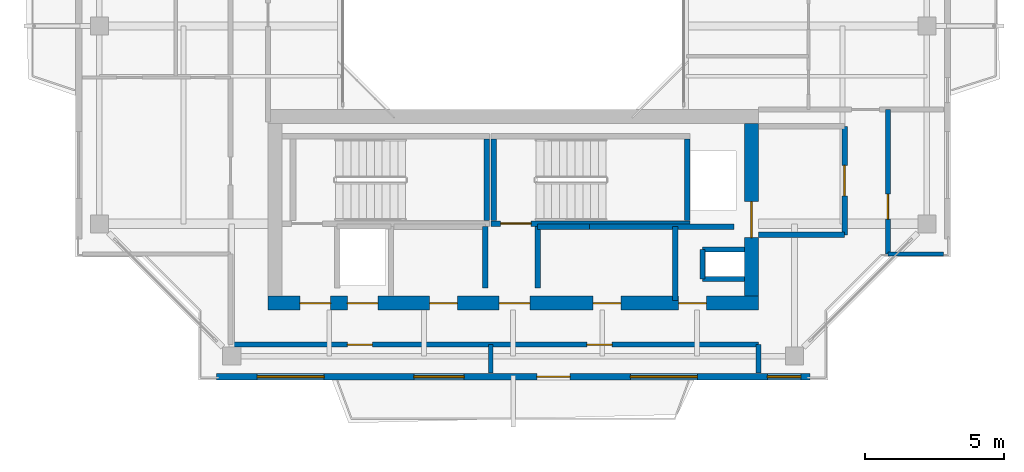
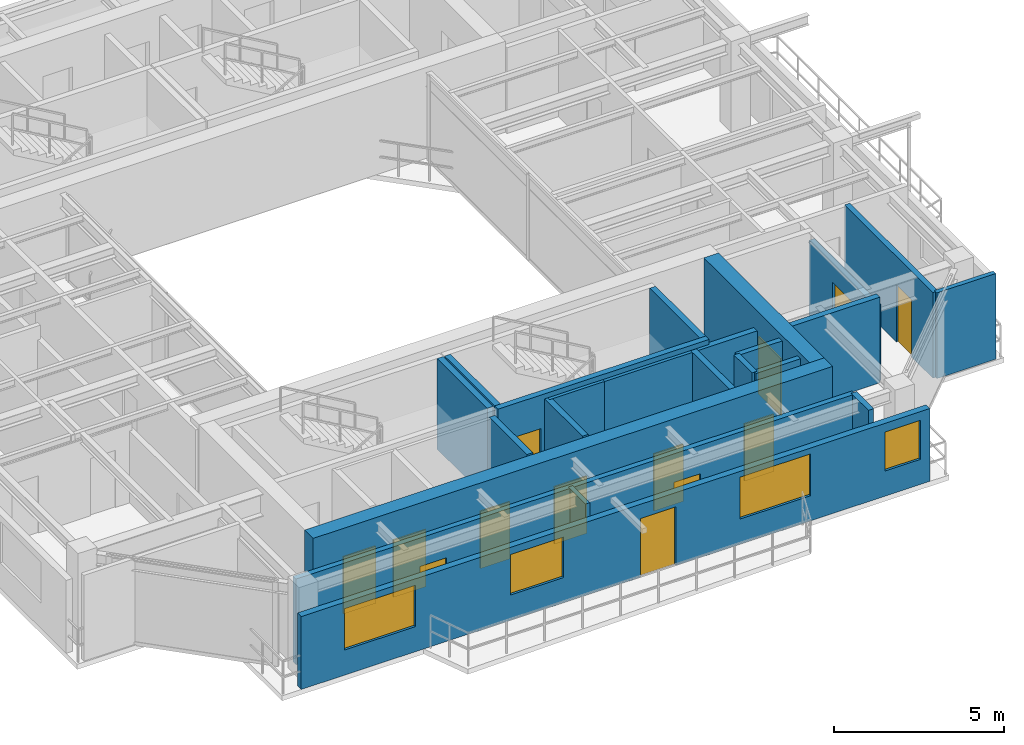
# One storey, part 9 of 14: 22 walls, 13 doors, 4 windows, 17 openings.
"""IFC4 building model written with IfcOpenShell, lengths in metres."""

from ifc_helpers import new_model, si_unit, direction, frame, frame_2d, origin, place, context, subcontext, project, spatial, rectangle, extrude, source, transform, mapped, material, layer, layer_set, type_object, element, fill, save


model = new_model("IFC4")

# Units and contexts
model_context = context("Model", 3, precision=1e-05, world=origin(), true_north=direction((0.0, 1.0)))
body_context = subcontext(model_context, "Body", "Model", "MODEL_VIEW")
ifc_project = project(units=[si_unit("LENGTHUNIT", "METRE"), si_unit("AREAUNIT", "SQUARE_METRE"), si_unit("VOLUMEUNIT", "CUBIC_METRE"), si_unit("PLANEANGLEUNIT", "RADIAN"), si_unit("MASSUNIT", "GRAM", prefix="KILO"), si_unit("THERMODYNAMICTEMPERATUREUNIT", "KELVIN"), si_unit("POWERUNIT", "WATT")], contexts=[model_context])

# Site, building, storey
site_placement = place(None, origin())
site = spatial("IfcSite", under=ifc_project, at=site_placement, CompositionType="ELEMENT")
building_placement = place(site_placement, origin())
building = spatial("IfcBuilding", under=site, at=building_placement, Name="Qiaomeng Ring Towers", CompositionType="ELEMENT")
storey_placement = place(building_placement, frame((0.0, 0.0, 247.0)))
storey = spatial("IfcBuildingStorey", under=building, at=storey_placement, Name="L72", CompositionType="ELEMENT", Elevation=247.0)

# Wall, openings, windows, door
ifc_material_1 = material(Name="Precast concrete C40", Category="concrete")
ifc_layer_1 = layer(ifc_material_1, 0.219970703125, Name="Precast concrete C40")
ifc_layer_set_1 = layer_set([ifc_layer_1], Name="Precast concrete C40")
wall_type_1 = type_object("IfcWallType", Name="ARC-WL-EW2", PredefinedType="STANDARD", material=ifc_layer_set_1)
wall_1_placement = place(storey_placement, frame((8.35009765625, 7.409912109375, 0.0), z_axis=(0.0, 0.0, 1.0), x_axis=(1.0, 0.0, 0.0)))
wall_1 = element("IfcWall", 1, at=wall_1_placement, inside=storey, type_object=wall_type_1, Name="L72 Tower 1 S Exterior Wall", PredefinedType="STANDARD", context=body_context, shape_type="SweptSolid", body=[
    extrude(rectangle(XDim=21.2998046875, YDim=0.219970703125, at=frame_2d((10.64990234375, 0.0))), origin(), (0.0, 0.0, 1.0), 2.610107421875),
])
opening_1_placement = place(wall_1_placement, frame((11.5, 0.0, 0.0)))
opening_1 = element("IfcOpeningElement", 2, at=opening_1_placement, cuts=wall_1, Name="Opening BD1", PredefinedType="OPENING", context=body_context, shape_type="SweptSolid", body=[
    extrude(rectangle(XDim=1.199951171875, YDim=2.10009765625, at=frame_2d((0.60009765625, 1.050048828125))), frame((0.0, 0.119873046875, 0.0), z_axis=(0.0, -1.0, 0.0), x_axis=(1.0, 0.0, 0.0)), (0.0, 0.0, 1.0), 0.239990234375),
])
opening_2_placement = place(wall_1_placement, frame((1.462890625, 0.0, 0.89990234375)))
opening_2 = element("IfcOpeningElement", 3, at=opening_2_placement, cuts=wall_1, Name="Opening WN6", PredefinedType="OPENING", context=body_context, shape_type="SweptSolid", body=[
    extrude(rectangle(XDim=2.39990234375, YDim=1.47998046875, at=frame_2d((1.199951171875, 0.739990234375))), frame((0.0, 0.119873046875, 0.0), z_axis=(0.0, -1.0, 0.0), x_axis=(1.0, 0.0, 0.0)), (0.0, 0.0, 1.0), 0.239990234375),
])
opening_3_placement = place(wall_1_placement, frame((7.087890625, 0.0, 0.89990234375)))
opening_3 = element("IfcOpeningElement", 4, at=opening_3_placement, cuts=wall_1, Name="Opening WN1", PredefinedType="OPENING", context=body_context, shape_type="SweptSolid", body=[
    extrude(rectangle(XDim=1.800048828125, YDim=1.449951171875, at=frame_2d((0.89990234375, 0.72509765625))), frame((0.0, 0.119873046875, 0.0), z_axis=(0.0, -1.0, 0.0), x_axis=(1.0, 0.0, 0.0)), (0.0, 0.0, 1.0), 0.239990234375),
])
opening_4_placement = place(wall_1_placement, frame((19.77490234375, 0.0, 0.89990234375)))
opening_4 = element("IfcOpeningElement", 5, at=opening_4_placement, cuts=wall_1, Name="Opening WN3", PredefinedType="OPENING", context=body_context, shape_type="SweptSolid", body=[
    extrude(rectangle(XDim=1.199951171875, YDim=1.39990234375, at=frame_2d((0.60009765625, 0.699951171875))), frame((0.0, 0.119873046875, 0.0), z_axis=(0.0, -1.0, 0.0), x_axis=(1.0, 0.0, 0.0)), (0.0, 0.0, 1.0), 0.239990234375),
])
opening_5_placement = place(wall_1_placement, frame((14.860107421875, 0.0, 0.89990234375)))
opening_5 = element("IfcOpeningElement", 6, at=opening_5_placement, cuts=wall_1, Name="Opening WN6", PredefinedType="OPENING", context=body_context, shape_type="SweptSolid", body=[
    extrude(rectangle(XDim=2.39990234375, YDim=1.5, at=frame_2d((1.199951171875, 0.75))), frame((0.0, 0.119873046875, 0.0), z_axis=(0.0, -1.0, 0.0), x_axis=(1.0, 0.0, 0.0)), (0.0, 0.0, 1.0), 0.239990234375),
])
ifc_material_2 = material(Name="Low-E dark-grey laminated double glazing", Category="glass")
window_type_1 = type_object("IfcWindowType", Name="ARC-WN-1", PartitioningType="DOUBLE_PANEL_VERTICAL", PredefinedType="WINDOW", material=ifc_material_2)
shared_shape_1 = source(origin(), body_context, "Body", "SweptSolid", [
    extrude(rectangle(XDim=1.800048828125, YDim=1.449951171875, at=frame_2d((0.89990234375, 0.72509765625))), frame((0.0, 0.030029296875, 0.0), z_axis=(0.0, -1.0, 0.0), x_axis=(1.0, 0.0, 0.0)), (0.0, 0.0, 1.0), 0.06005859375),
])
window_1_placement = place(opening_3_placement, origin())
window_1 = element("IfcWindow", 7, at=window_1_placement, inside=storey, type_object=window_type_1, Name="L72 Exterior Window WN1", OverallHeight=1.449951171875, OverallWidth=1.800048828125, PartitioningType="DOUBLE_PANEL_VERTICAL", PredefinedType="WINDOW", context=body_context, shape_type="MappedRepresentation", body=[
    mapped(shared_shape_1, transform((0.0, 0.0, 0.0), x_axis=(1.0, 0.0, 0.0), y_axis=(0.0, 1.0, 0.0), z_axis=(0.0, 0.0, 1.0), scale=1.0)),
])
fill(opening_3, window_1)
window_type_2 = type_object("IfcWindowType", Name="ARC-WN-6", PartitioningType="TRIPLE_PANEL_VERTICAL", PredefinedType="WINDOW", material=ifc_material_2)
shared_shape_2 = source(origin(), body_context, "Body", "SweptSolid", [
    extrude(rectangle(XDim=2.39990234375, YDim=1.47998046875, at=frame_2d((1.199951171875, 0.739990234375))), frame((0.0, 0.030029296875, 0.0), z_axis=(0.0, -1.0, 0.0), x_axis=(1.0, 0.0, 0.0)), (0.0, 0.0, 1.0), 0.06005859375),
])
window_2_placement = place(opening_2_placement, origin())
window_2 = element("IfcWindow", 8, at=window_2_placement, inside=storey, type_object=window_type_2, Name="L72 Exterior Window WN6", OverallHeight=1.47998046875, OverallWidth=2.39990234375, PartitioningType="TRIPLE_PANEL_VERTICAL", PredefinedType="WINDOW", context=body_context, shape_type="MappedRepresentation", body=[
    mapped(shared_shape_2, transform((0.0, 0.0, 0.0), x_axis=(1.0, 0.0, 0.0), y_axis=(0.0, 1.0, 0.0), z_axis=(0.0, 0.0, 1.0), scale=1.0)),
])
fill(opening_2, window_2)
door_type_1 = type_object("IfcDoorType", Name="ARC-DR-BD1", OperationType="NOTDEFINED", PredefinedType="DOOR", material=ifc_material_2)
shared_shape_3 = source(origin(), body_context, "Body", "SweptSolid", [
    extrude(rectangle(XDim=1.199951171875, YDim=2.10009765625, at=frame_2d((0.60009765625, 1.050048828125))), frame((0.0, 0.02490234375, 0.0), z_axis=(0.0, -1.0, 0.0), x_axis=(1.0, 0.0, 0.0)), (0.0, 0.0, 1.0), 0.050048828125),
])
door_1_placement = place(opening_1_placement, frame((1.199951171875, 0.0, 0.0), z_axis=(0.0, 0.0, 1.0), x_axis=(-1.0, 0.0, 0.0)))
door_1 = element("IfcDoor", 9, at=door_1_placement, inside=storey, type_object=door_type_1, Name="L72 S Balcony Glazed Door", OperationType="SINGLE_SWING_LEFT", OverallHeight=2.10009765625, OverallWidth=1.199951171875, PredefinedType="DOOR", context=body_context, shape_type="MappedRepresentation", body=[
    mapped(shared_shape_3, transform((0.0, 0.0, 0.0), x_axis=(1.0, 0.0, 0.0), y_axis=(0.0, 1.0, 0.0), z_axis=(0.0, 0.0, 1.0), scale=1.0)),
])
fill(opening_1, door_1)
shared_shape_4 = source(origin(), body_context, "Body", "SweptSolid", [
    extrude(rectangle(XDim=2.39990234375, YDim=1.5, at=frame_2d((1.199951171875, 0.75))), frame((0.0, 0.030029296875, 0.0), z_axis=(0.0, -1.0, 0.0), x_axis=(1.0, 0.0, 0.0)), (0.0, 0.0, 1.0), 0.06005859375),
])
window_3_placement = place(opening_5_placement, origin())
window_3 = element("IfcWindow", 10, at=window_3_placement, inside=storey, type_object=window_type_2, Name="L72 Exterior Window WN6", OverallHeight=1.5, OverallWidth=2.39990234375, PartitioningType="TRIPLE_PANEL_VERTICAL", PredefinedType="WINDOW", context=body_context, shape_type="MappedRepresentation", body=[
    mapped(shared_shape_4, transform((0.0, 0.0, 0.0), x_axis=(1.0, 0.0, 0.0), y_axis=(0.0, 1.0, 0.0), z_axis=(0.0, 0.0, 1.0), scale=1.0)),
])
fill(opening_5, window_3)
window_type_3 = type_object("IfcWindowType", Name="ARC-WN-3", PartitioningType="SINGLE_PANEL", PredefinedType="WINDOW", material=ifc_material_2)
shared_shape_5 = source(origin(), body_context, "Body", "SweptSolid", [
    extrude(rectangle(XDim=1.199951171875, YDim=1.39990234375, at=frame_2d((0.60009765625, 0.699951171875))), frame((0.0, 0.030029296875, 0.0), z_axis=(0.0, -1.0, 0.0), x_axis=(1.0, 0.0, 0.0)), (0.0, 0.0, 1.0), 0.06005859375),
])
window_4_placement = place(opening_4_placement, origin())
window_4 = element("IfcWindow", 11, at=window_4_placement, inside=storey, type_object=window_type_3, Name="L72 Exterior Window WN4", OverallHeight=1.39990234375, OverallWidth=1.199951171875, PartitioningType="TRIPLE_PANEL_VERTICAL", PredefinedType="WINDOW", context=body_context, shape_type="MappedRepresentation", body=[
    mapped(shared_shape_5, transform((0.0, 0.0, 0.0), x_axis=(1.0, 0.0, 0.0), y_axis=(0.0, 1.0, 0.0), z_axis=(0.0, 0.0, 1.0), scale=1.0)),
])
fill(opening_4, window_4)

# Wall
ifc_material_3 = material(Name="Autoclaved aerated concrete block", Category="concrete")
ifc_layer_2 = layer(ifc_material_3, 0.199951171875, Name="Autoclaved aerated concrete block")
ifc_layer_set_2 = layer_set([ifc_layer_2], Name="Autoclaved aerated concrete block")
wall_type_2 = type_object("IfcWallType", Name="ARC-WL-PW1", PredefinedType="PARTITIONING", material=ifc_layer_set_2)
wall_2_placement = place(storey_placement, frame((27.800048828125, 12.5, 0.0), z_axis=(0.0, 0.0, 1.0), x_axis=(1.0, 0.0, 0.0)))
element("IfcWall", 12, at=wall_2_placement, inside=storey, type_object=wall_type_2, Name="L72 Interior Wall PW1", PredefinedType="PARTITIONING", context=body_context, shape_type="SweptSolid", body=[
    extrude(rectangle(XDim=3.099853515625, YDim=0.199951171875, at=frame_2d((1.5498046875, 0.0))), origin(), (0.0, 0.0, 1.0), 3.070068359375),
])

# Wall, opening, door
wall_3_placement = place(storey_placement, frame((30.89990234375, 12.5, 0.0), z_axis=(0.0, 0.0, 1.0), x_axis=(0.0, 1.0, 0.0)))
wall_3 = element("IfcWall", 13, at=wall_3_placement, inside=storey, type_object=wall_type_2, Name="L72 Interior Wall PW1", PredefinedType="PARTITIONING", context=body_context, shape_type="SweptSolid", body=[
    extrude(rectangle(XDim=3.89990234375, YDim=0.199951171875, at=frame_2d((1.949951171875, 0.0))), origin(), (0.0, 0.0, 1.0), 2.715087890625),
])
opening_6_placement = place(wall_3_placement, frame((1.39990234375, 0.0, 0.0)))
opening_6 = element("IfcOpeningElement", 14, at=opening_6_placement, cuts=wall_3, Name="Opening FD3", PredefinedType="OPENING", context=body_context, shape_type="SweptSolid", body=[
    extrude(rectangle(XDim=1.10009765625, YDim=2.050048828125, at=frame_2d((0.550048828125, 1.02490234375))), frame((0.0, 0.10986328125, 0.0), z_axis=(0.0, -1.0, 0.0), x_axis=(1.0, 0.0, 0.0)), (0.0, 0.0, 1.0), 0.219970703125),
])
ifc_material_4 = material(Name="Galvanised steel", Category="steel")
door_type_2 = type_object("IfcDoorType", Name="ARC-DR-FD3", OperationType="NOTDEFINED", PredefinedType="DOOR", material=ifc_material_4)
shared_shape_6 = source(origin(), body_context, "Body", "SweptSolid", [
    extrude(rectangle(XDim=1.10009765625, YDim=2.050048828125, at=frame_2d((0.550048828125, 1.02490234375))), frame((0.0, 0.02490234375, 0.0), z_axis=(0.0, -1.0, 0.0), x_axis=(1.0, 0.0, 0.0)), (0.0, 0.0, 1.0), 0.050048828125),
])
door_2_placement = place(opening_6_placement, origin())
door_2 = element("IfcDoor", 15, at=door_2_placement, inside=storey, type_object=door_type_2, Name="L72 South FF Lobby Door", OperationType="SINGLE_SWING_RIGHT", OverallHeight=2.050048828125, OverallWidth=1.10009765625, PredefinedType="DOOR", context=body_context, shape_type="MappedRepresentation", body=[
    mapped(shared_shape_6, transform((0.0, 0.0, 0.0), x_axis=(1.0, 0.0, 0.0), y_axis=(0.0, 1.0, 0.0), z_axis=(0.0, 0.0, 1.0), scale=1.0)),
])
fill(opening_6, door_2)

# Walls
for number, where, z_axis, x_axis, name in (
    (16, (18.0, 10.60009765625, 0.0), (0.0, 0.0, 1.0), (0.0, 1.0, 0.0), "L72 Interior Wall PW1"),
    (17, (19.8798828125, 10.60009765625, 0.0), (0.0, 0.0, 1.0), (0.0, 1.0, 0.0), "L72 Interior Wall PW1"),
):
    element("IfcWall", number, at=place(storey_placement, frame(where, z_axis=z_axis, x_axis=x_axis)), inside=storey, type_object=wall_type_2, Name=name, PredefinedType="PARTITIONING", context=body_context, shape_type="SweptSolid", body=[
        extrude(rectangle(XDim=2.2099609375, YDim=0.199951171875, at=frame_2d((1.10498046875, 0.0))), origin(), (0.0, 0.0, 1.0), 3.070068359375),
    ])
wall_4_placement = place(storey_placement, frame((24.820068359375, 10.14990234375, 0.0), z_axis=(0.0, 0.0, 1.0), x_axis=(0.0, 1.0, 0.0)))
element("IfcWall", 18, at=wall_4_placement, inside=storey, type_object=wall_type_2, Name="L72 Interior Wall PW1", PredefinedType="PARTITIONING", context=body_context, shape_type="SweptSolid", body=[
    extrude(rectangle(XDim=2.650146484375, YDim=0.199951171875, at=frame_2d((1.3251953125, 0.0))), origin(), (0.0, 0.0, 1.0), 3.070068359375),
])
wall_5_placement = place(storey_placement, frame((19.8798828125, 12.800048828125, 0.0), z_axis=(0.0, 0.0, 1.0), x_axis=(1.0, 0.0, 0.0)))
element("IfcWall", 19, at=wall_5_placement, inside=storey, type_object=wall_type_2, Name="L72 Interior Wall PW1", PredefinedType="PARTITIONING", context=body_context, shape_type="SweptSolid", body=[
    extrude(rectangle(XDim=1.8701171875, YDim=0.199951171875, at=frame_2d((0.93505859375, 0.0))), origin(), (0.0, 0.0, 1.0), 3.070068359375),
])
wall_6_placement = place(storey_placement, frame((21.75, 12.800048828125, 0.0), z_axis=(0.0, 0.0, 1.0), x_axis=(1.0, 0.0, 0.0)))
element("IfcWall", 20, at=wall_6_placement, inside=storey, type_object=wall_type_2, Name="L72 Interior Wall PW1", PredefinedType="PARTITIONING", context=body_context, shape_type="SweptSolid", body=[
    extrude(rectangle(XDim=5.169921875, YDim=0.199951171875, at=frame_2d((2.5849609375, 0.0))), origin(), (0.0, 0.0, 1.0), 3.070068359375),
])
ifc_layer_3 = layer(ifc_material_3, 0.179931640625, Name="Autoclaved aerated concrete block")
ifc_layer_set_3 = layer_set([ifc_layer_3], Name="Autoclaved aerated concrete block")
wall_type_3 = type_object("IfcWallType", Name="ARC-WL-PW2", PredefinedType="PARTITIONING", material=ifc_layer_set_3)
wall_7_placement = place(storey_placement, frame((27.800048828125, 7.550048828125, 0.0), z_axis=(0.0, 0.0, 1.0), x_axis=(0.0, 1.0, 0.0)))
element("IfcWall", 21, at=wall_7_placement, inside=storey, type_object=wall_type_3, Name="L72 Interior Wall PW2", PredefinedType="PARTITIONING", context=body_context, shape_type="SweptSolid", body=[
    extrude(rectangle(XDim=1.010009765625, YDim=0.179931640625, at=frame_2d((0.5048828125, 0.0))), origin(), (0.0, 0.0, 1.0), 3.070068359375),
])

# Wall, openings, doors
wall_8_placement = place(storey_placement, frame((8.85009765625, 8.56005859375, 0.0), z_axis=(0.0, 0.0, 1.0), x_axis=(1.0, 0.0, 0.0)))
wall_8 = element("IfcWall", 22, at=wall_8_placement, inside=storey, type_object=wall_type_3, Name="L72 Interior Wall PW2", PredefinedType="PARTITIONING", context=body_context, shape_type="SweptSolid", body=[
    extrude(rectangle(XDim=18.949951171875, YDim=0.179931640625, at=frame_2d((9.47509765625, 0.0))), origin(), (0.0, 0.0, 1.0), 3.070068359375),
])
opening_7_placement = place(wall_8_placement, frame((4.199951171875, 0.0, 0.0)))
opening_7 = element("IfcOpeningElement", 23, at=opening_7_placement, cuts=wall_8, Name="Opening ID1", PredefinedType="OPENING", context=body_context, shape_type="SweptSolid", body=[
    extrude(rectangle(XDim=0.89990234375, YDim=2.050048828125, at=frame_2d((0.449951171875, 1.02490234375))), frame((0.0, 0.099853515625, 0.0), z_axis=(0.0, -1.0, 0.0), x_axis=(1.0, 0.0, 0.0)), (0.0, 0.0, 1.0), 0.199951171875),
])
opening_8_placement = place(wall_8_placement, frame((12.800048828125, 0.0, 0.0)))
opening_8 = element("IfcOpeningElement", 24, at=opening_8_placement, cuts=wall_8, Name="Opening ID1", PredefinedType="OPENING", context=body_context, shape_type="SweptSolid", body=[
    extrude(rectangle(XDim=0.89990234375, YDim=2.050048828125, at=frame_2d((0.449951171875, 1.02490234375))), frame((0.0, 0.099853515625, 0.0), z_axis=(0.0, -1.0, 0.0), x_axis=(1.0, 0.0, 0.0)), (0.0, 0.0, 1.0), 0.199951171875),
])
ifc_material_5 = material(Name="Engineered oak timber", Category="wood")
door_type_3 = type_object("IfcDoorType", Name="ARC-DR-ID1", OperationType="NOTDEFINED", PredefinedType="DOOR", material=ifc_material_5)
shared_shape_7 = source(origin(), body_context, "Body", "SweptSolid", [
    extrude(rectangle(XDim=0.89990234375, YDim=2.050048828125, at=frame_2d((0.449951171875, 1.02490234375))), frame((0.0, 0.02490234375, 0.0), z_axis=(0.0, -1.0, 0.0), x_axis=(1.0, 0.0, 0.0)), (0.0, 0.0, 1.0), 0.050048828125),
])
door_3_placement = place(opening_7_placement, origin())
door_3 = element("IfcDoor", 25, at=door_3_placement, inside=storey, type_object=door_type_3, Name="L72 Door ID1", OperationType="SINGLE_SWING_RIGHT", OverallHeight=2.050048828125, OverallWidth=0.89990234375, PredefinedType="DOOR", context=body_context, shape_type="MappedRepresentation", body=[
    mapped(shared_shape_7, transform((0.0, 0.0, 0.0), x_axis=(1.0, 0.0, 0.0), y_axis=(0.0, 1.0, 0.0), z_axis=(0.0, 0.0, 1.0), scale=1.0)),
])
fill(opening_7, door_3)
door_4_placement = place(opening_8_placement, origin())
door_4 = element("IfcDoor", 26, at=door_4_placement, inside=storey, type_object=door_type_3, Name="L72 Door ID1", OperationType="SINGLE_SWING_LEFT", OverallHeight=2.050048828125, OverallWidth=0.89990234375, PredefinedType="DOOR", context=body_context, shape_type="MappedRepresentation", body=[
    mapped(shared_shape_7, transform((0.0, 0.0, 0.0), x_axis=(1.0, 0.0, 0.0), y_axis=(0.0, 1.0, 0.0), z_axis=(0.0, 0.0, 1.0), scale=1.0)),
])
fill(opening_8, door_4)

# Wall, opening, door
wall_9_placement = place(storey_placement, frame((32.449951171875, 11.820068359375, 0.0), z_axis=(0.0, 0.0, 1.0), x_axis=(0.0, 1.0, 0.0)))
wall_9 = element("IfcWall", 27, at=wall_9_placement, inside=storey, type_object=wall_type_3, Name="L72 Interior Wall PW2", PredefinedType="PARTITIONING", context=body_context, shape_type="SweptSolid", body=[
    extrude(rectangle(XDim=5.179931640625, YDim=0.179931640625, at=frame_2d((2.58984375, 0.0))), origin(), (0.0, 0.0, 1.0), 3.070068359375),
])
opening_9_placement = place(wall_9_placement, frame((1.25, 0.0, 0.0)))
opening_9 = element("IfcOpeningElement", 28, at=opening_9_placement, cuts=wall_9, Name="Opening ID1", PredefinedType="OPENING", context=body_context, shape_type="SweptSolid", body=[
    extrude(rectangle(XDim=0.89990234375, YDim=2.050048828125, at=frame_2d((0.449951171875, 1.02490234375))), frame((0.0, 0.099853515625, 0.0), z_axis=(0.0, -1.0, 0.0), x_axis=(1.0, 0.0, 0.0)), (0.0, 0.0, 1.0), 0.199951171875),
])
door_5_placement = place(opening_9_placement, origin())
door_5 = element("IfcDoor", 29, at=door_5_placement, inside=storey, type_object=door_type_3, Name="L72 Door ID1", OperationType="SINGLE_SWING_LEFT", OverallHeight=2.050048828125, OverallWidth=0.89990234375, PredefinedType="DOOR", context=body_context, shape_type="MappedRepresentation", body=[
    mapped(shared_shape_7, transform((0.0, 0.0, 0.0), x_axis=(1.0, 0.0, 0.0), y_axis=(0.0, 1.0, 0.0), z_axis=(0.0, 0.0, 1.0), scale=1.0)),
])
fill(opening_9, door_5)

# Walls
ifc_material_6 = material(Name="Gypsum fireboard steel-stud partition", Category="steel")
ifc_layer_4 = layer(ifc_material_6, 0.14990234375, Name="Gypsum fireboard steel-stud partition")
ifc_layer_set_4 = layer_set([ifc_layer_4], Name="Gypsum fireboard steel-stud partition")
wall_type_4 = type_object("IfcWallType", Name="ARC-WL-PW3", PredefinedType="PARTITIONING", material=ifc_layer_set_4)
wall_10_placement = place(storey_placement, frame((18.199951171875, 7.550048828125, 0.0), z_axis=(0.0, 0.0, 1.0), x_axis=(0.0, 1.0, 0.0)))
element("IfcWall", 30, at=wall_10_placement, inside=storey, type_object=wall_type_4, Name="L72 Interior Wall PW3", PredefinedType="PARTITIONING", context=body_context, shape_type="SweptSolid", body=[
    extrude(rectangle(XDim=1.010009765625, YDim=0.14990234375, at=frame_2d((0.5048828125, 0.0))), origin(), (0.0, 0.0, 1.0), 3.070068359375),
])
wall_11_placement = place(storey_placement, frame((32.449951171875, 11.820068359375, 0.0), z_axis=(0.0, 0.0, 1.0), x_axis=(1.0, 0.0, 0.0)))
element("IfcWall", 31, at=wall_11_placement, inside=storey, type_object=wall_type_4, Name="L72 Interior Wall PW3", PredefinedType="PARTITIONING", context=body_context, shape_type="SweptSolid", body=[
    extrude(rectangle(XDim=2.0, YDim=0.14990234375, at=frame_2d((1.0, 0.0))), origin(), (0.0, 0.0, 1.0), 3.070068359375),
])
ifc_material_7 = material(Name="Concrete C40", Category="concrete")
ifc_layer_5 = layer(ifc_material_7, 0.199951171875, Name="Concrete C40")
ifc_layer_set_5 = layer_set([ifc_layer_5], Name="Concrete C40")
wall_type_5 = type_object("IfcWallType", Name="STR-WL-STSHAFT", PredefinedType="SHEAR", material=ifc_layer_set_5)
wall_12_placement = place(storey_placement, frame((25.800048828125, 10.919921875, 0.0), z_axis=(0.0, 0.0, 1.0), x_axis=(0.0, 1.0, 0.0)))
element("IfcWall", 32, at=wall_12_placement, inside=storey, type_object=wall_type_5, Name="L72 Riser RSR1 West Shaft Wall S", PredefinedType="SHEAR", context=body_context, shape_type="SweptSolid", body=[
    extrude(rectangle(XDim=1.06005859375, YDim=0.179931640625, at=frame_2d((0.530029296875, 0.0))), origin(), (0.0, 0.0, 1.0), 3.070068359375),
])
for number, where, z_axis, x_axis, name in (
    (33, (25.800048828125, 11.97998046875, 0.0), (0.0, 0.0, 1.0), (1.0, 0.0, 0.0), "L72 Riser RSR1 North Shaft Wall S"),
    (34, (25.800048828125, 10.919921875, 0.0), (0.0, 0.0, 1.0), (1.0, 0.0, 0.0), "L72 Riser RSR1 South Shaft Wall S"),
):
    element("IfcWall", number, at=place(storey_placement, frame(where, z_axis=z_axis, x_axis=x_axis)), inside=storey, type_object=wall_type_5, Name=name, PredefinedType="SHEAR", context=body_context, shape_type="SweptSolid", body=[
        extrude(rectangle(XDim=1.5, YDim=0.179931640625, at=frame_2d((0.75, 0.0))), origin(), (0.0, 0.0, 1.0), 3.070068359375),
    ])
wall_13_placement = place(storey_placement, frame((18.050048828125, 13.010009765625, 0.0), z_axis=(0.0, 0.0, 1.0), x_axis=(0.0, 1.0, 0.0)))
element("IfcWall", 35, at=wall_13_placement, inside=storey, type_object=wall_type_5, Name="L72 Stair ST3 East Shaft Shear Wall", PredefinedType="SHEAR", context=body_context, shape_type="SweptSolid", body=[
    extrude(rectangle(XDim=2.93994140625, YDim=0.199951171875, at=frame_2d((1.469970703125, 0.0))), origin(), (0.0, 0.0, 1.0), 3.25),
])

# Wall, opening, door
wall_14_placement = place(storey_placement, frame((18.199951171875, 12.909912109375, 0.0), z_axis=(0.0, 0.0, 1.0), x_axis=(1.0, 0.0, 0.0)))
wall_14 = element("IfcWall", 36, at=wall_14_placement, inside=storey, type_object=wall_type_5, Name="L72 Stair ST4 South Shaft Shear Wall", PredefinedType="SHEAR", context=body_context, shape_type="SweptSolid", body=[
    extrude(rectangle(XDim=7.150146484375, YDim=0.199951171875, at=frame_2d((3.5751953125, 0.0))), origin(), (0.0, 0.0, 1.0), 3.25),
])
opening_10_placement = place(wall_14_placement, frame((0.35009765625, 0.0, 0.0)))
opening_10 = element("IfcOpeningElement", 37, at=opening_10_placement, cuts=wall_14, Name="Opening FD3", PredefinedType="OPENING", context=body_context, shape_type="SweptSolid", body=[
    extrude(rectangle(XDim=1.10009765625, YDim=2.050048828125, at=frame_2d((0.550048828125, 1.02490234375))), frame((0.0, 0.10986328125, 0.0), z_axis=(0.0, -1.0, 0.0), x_axis=(1.0, 0.0, 0.0)), (0.0, 0.0, 1.0), 0.219970703125),
])
door_6_placement = place(opening_10_placement, frame((1.10009765625, 0.0, 0.0), z_axis=(0.0, 0.0, 1.0), x_axis=(-1.0, 0.0, 0.0)))
door_6 = element("IfcDoor", 38, at=door_6_placement, inside=storey, type_object=door_type_2, Name="L72 Stair ST4 Exit Door", OperationType="SINGLE_SWING_RIGHT", OverallHeight=2.050048828125, OverallWidth=1.10009765625, PredefinedType="DOOR", context=body_context, shape_type="MappedRepresentation", body=[
    mapped(shared_shape_6, transform((0.0, 0.0, 0.0), x_axis=(1.0, 0.0, 0.0), y_axis=(0.0, 1.0, 0.0), z_axis=(0.0, 0.0, 1.0), scale=1.0)),
])
fill(opening_10, door_6)

# Walls
for number, where, z_axis, x_axis, name in (
    (39, (18.300048828125, 13.010009765625, 0.0), (0.0, 0.0, 1.0), (0.0, 1.0, 0.0), "L72 Stair ST4 West Shaft Shear Wall"),
    (40, (25.25, 13.010009765625, 0.0), (0.0, 0.0, 1.0), (0.0, 1.0, 0.0), "L72 Stair ST4 East Shaft Shear Wall"),
):
    element("IfcWall", number, at=place(storey_placement, frame(where, z_axis=z_axis, x_axis=x_axis)), inside=storey, type_object=wall_type_5, Name=name, PredefinedType="SHEAR", context=body_context, shape_type="SweptSolid", body=[
        extrude(rectangle(XDim=2.93994140625, YDim=0.199951171875, at=frame_2d((1.469970703125, 0.0))), origin(), (0.0, 0.0, 1.0), 3.25),
    ])

# Wall, openings, doors
ifc_layer_6 = layer(ifc_material_7, 0.5, Name="Concrete C40")
ifc_layer_set_6 = layer_set([ifc_layer_6], Name="Concrete C40")
wall_type_6 = type_object("IfcWallType", Name="STR-WL-SW3", PredefinedType="SHEAR", material=ifc_layer_set_6)
wall_15_placement = place(storey_placement, frame((10.199951171875, 10.050048828125, 0.0), z_axis=(0.0, 0.0, 1.0), x_axis=(1.0, 0.0, 0.0)))
wall_15 = element("IfcWall", 41, at=wall_15_placement, inside=storey, type_object=wall_type_6, Name="L72 T1SC south core shear wall", PredefinedType="SHEAR", context=body_context, shape_type="SweptSolid", body=[
    extrude(rectangle(XDim=17.60009765625, YDim=0.5, at=frame_2d((8.800048828125, 0.0))), origin(), (0.0, 0.0, 1.0), 3.25),
])
opening_11_placement = place(wall_15_placement, frame((1.14990234375, 0.0, 0.0)))
opening_11 = element("IfcOpeningElement", 42, at=opening_11_placement, cuts=wall_15, Name="Opening FD3", PredefinedType="OPENING", context=body_context, shape_type="SweptSolid", body=[
    extrude(rectangle(XDim=1.10009765625, YDim=2.050048828125, at=frame_2d((0.550048828125, 1.02490234375))), frame((0.0, 0.260009765625, 0.0), z_axis=(0.0, -1.0, 0.0), x_axis=(1.0, 0.0, 0.0)), (0.0, 0.0, 1.0), 0.52001953125),
])
opening_12_placement = place(wall_15_placement, frame((8.300048828125, 0.0, 0.0)))
opening_12 = element("IfcOpeningElement", 43, at=opening_12_placement, cuts=wall_15, Name="Opening FD3", PredefinedType="OPENING", context=body_context, shape_type="SweptSolid", body=[
    extrude(rectangle(XDim=1.10009765625, YDim=2.050048828125, at=frame_2d((0.550048828125, 1.02490234375))), frame((0.0, 0.260009765625, 0.0), z_axis=(0.0, -1.0, 0.0), x_axis=(1.0, 0.0, 0.0)), (0.0, 0.0, 1.0), 0.52001953125),
])
opening_13_placement = place(wall_15_placement, frame((2.85009765625, 0.0, 0.0)))
opening_13 = element("IfcOpeningElement", 44, at=opening_13_placement, cuts=wall_15, Name="Opening LD1", PredefinedType="OPENING", context=body_context, shape_type="SweptSolid", body=[
    extrude(rectangle(XDim=1.10009765625, YDim=2.050048828125, at=frame_2d((0.550048828125, 1.02490234375))), frame((0.0, 0.260009765625, 0.0), z_axis=(0.0, -1.0, 0.0), x_axis=(1.0, 0.0, 0.0)), (0.0, 0.0, 1.0), 0.52001953125),
])
opening_14_placement = place(wall_15_placement, frame((5.800048828125, 0.0, 0.0)))
opening_14 = element("IfcOpeningElement", 45, at=opening_14_placement, cuts=wall_15, Name="Opening FD1", PredefinedType="OPENING", context=body_context, shape_type="SweptSolid", body=[
    extrude(rectangle(XDim=1.0, YDim=2.050048828125, at=frame_2d((0.5, 1.02490234375))), frame((0.0, 0.260009765625, 0.0), z_axis=(0.0, -1.0, 0.0), x_axis=(1.0, 0.0, 0.0)), (0.0, 0.0, 1.0), 0.52001953125),
])
opening_15_placement = place(wall_15_placement, frame((14.739990234375, 0.0, 0.0)))
opening_15 = element("IfcOpeningElement", 46, at=opening_15_placement, cuts=wall_15, Name="Opening FD1", PredefinedType="OPENING", context=body_context, shape_type="SweptSolid", body=[
    extrude(rectangle(XDim=1.0, YDim=2.050048828125, at=frame_2d((0.5, 1.02490234375))), frame((0.0, 0.260009765625, 0.0), z_axis=(0.0, -1.0, 0.0), x_axis=(1.0, 0.0, 0.0)), (0.0, 0.0, 1.0), 0.52001953125),
])
opening_16_placement = place(wall_15_placement, frame((11.669921875, 0.0, 0.0)))
opening_16 = element("IfcOpeningElement", 47, at=opening_16_placement, cuts=wall_15, Name="Opening FD1", PredefinedType="OPENING", context=body_context, shape_type="SweptSolid", body=[
    extrude(rectangle(XDim=1.0, YDim=2.050048828125, at=frame_2d((0.5, 1.02490234375))), frame((0.0, 0.260009765625, 0.0), z_axis=(0.0, -1.0, 0.0), x_axis=(1.0, 0.0, 0.0)), (0.0, 0.0, 1.0), 0.52001953125),
])
door_7_placement = place(opening_11_placement, origin())
door_7 = element("IfcDoor", 48, at=door_7_placement, inside=storey, type_object=door_type_2, Name="L72 Stair ST3 Lobby Door", OperationType="SINGLE_SWING_LEFT", OverallHeight=2.050048828125, OverallWidth=1.10009765625, PredefinedType="DOOR", context=body_context, shape_type="MappedRepresentation", body=[
    mapped(shared_shape_6, transform((0.0, 0.0, 0.0), x_axis=(1.0, 0.0, 0.0), y_axis=(0.0, 1.0, 0.0), z_axis=(0.0, 0.0, 1.0), scale=1.0)),
])
fill(opening_11, door_7)
door_8_placement = place(opening_12_placement, origin())
door_8 = element("IfcDoor", 49, at=door_8_placement, inside=storey, type_object=door_type_2, Name="L72 Stair ST4 Lobby Door", OperationType="SINGLE_SWING_LEFT", OverallHeight=2.050048828125, OverallWidth=1.10009765625, PredefinedType="DOOR", context=body_context, shape_type="MappedRepresentation", body=[
    mapped(shared_shape_6, transform((0.0, 0.0, 0.0), x_axis=(1.0, 0.0, 0.0), y_axis=(0.0, 1.0, 0.0), z_axis=(0.0, 0.0, 1.0), scale=1.0)),
])
fill(opening_12, door_8)
ifc_material_8 = material(Name="Stainless steel 316", Category="steel")
door_type_4 = type_object("IfcDoorType", Name="ARC-DR-LD1", OperationType="NOTDEFINED", PredefinedType="DOOR", material=ifc_material_8)
door_9_placement = place(opening_13_placement, origin())
door_9 = element("IfcDoor", 50, at=door_9_placement, inside=storey, type_object=door_type_4, Name="L72 High-Zone Lift LP6 Landing Door", OperationType="SLIDING_TO_RIGHT", OverallHeight=2.050048828125, OverallWidth=1.10009765625, PredefinedType="DOOR", context=body_context, shape_type="MappedRepresentation", body=[
    mapped(shared_shape_6, transform((0.0, 0.0, 0.0), x_axis=(1.0, 0.0, 0.0), y_axis=(0.0, 1.0, 0.0), z_axis=(0.0, 0.0, 1.0), scale=1.0)),
])
fill(opening_13, door_9)
door_type_5 = type_object("IfcDoorType", Name="ARC-DR-FD1", OperationType="NOTDEFINED", PredefinedType="DOOR", material=ifc_material_4)
shared_shape_8 = source(origin(), body_context, "Body", "SweptSolid", [
    extrude(rectangle(XDim=1.0, YDim=2.050048828125, at=frame_2d((0.5, 1.02490234375))), frame((0.0, 0.02490234375, 0.0), z_axis=(0.0, -1.0, 0.0), x_axis=(1.0, 0.0, 0.0)), (0.0, 0.0, 1.0), 0.050048828125),
])
door_10_placement = place(opening_14_placement, origin())
door_10 = element("IfcDoor", 51, at=door_10_placement, inside=storey, type_object=door_type_5, Name="L72 High-Zone Freed Core Room Door", OperationType="SINGLE_SWING_RIGHT", OverallHeight=2.050048828125, OverallWidth=1.0, PredefinedType="DOOR", context=body_context, shape_type="MappedRepresentation", body=[
    mapped(shared_shape_8, transform((0.0, 0.0, 0.0), x_axis=(1.0, 0.0, 0.0), y_axis=(0.0, 1.0, 0.0), z_axis=(0.0, 0.0, 1.0), scale=1.0)),
])
fill(opening_14, door_10)
door_11_placement = place(opening_15_placement, origin())
door_11 = element("IfcDoor", 52, at=door_11_placement, inside=storey, type_object=door_type_5, Name="L72 South Electrical Riser Door", OperationType="SINGLE_SWING_RIGHT", OverallHeight=2.050048828125, OverallWidth=1.0, PredefinedType="DOOR", context=body_context, shape_type="MappedRepresentation", body=[
    mapped(shared_shape_8, transform((0.0, 0.0, 0.0), x_axis=(1.0, 0.0, 0.0), y_axis=(0.0, 1.0, 0.0), z_axis=(0.0, 0.0, 1.0), scale=1.0)),
])
fill(opening_15, door_11)
door_12_placement = place(opening_16_placement, origin())
door_12 = element("IfcDoor", 53, at=door_12_placement, inside=storey, type_object=door_type_5, Name="L72 South Building Management Office Door", OperationType="SINGLE_SWING_LEFT", OverallHeight=2.050048828125, OverallWidth=1.0, PredefinedType="DOOR", context=body_context, shape_type="MappedRepresentation", body=[
    mapped(shared_shape_8, transform((0.0, 0.0, 0.0), x_axis=(1.0, 0.0, 0.0), y_axis=(0.0, 1.0, 0.0), z_axis=(0.0, 0.0, 1.0), scale=1.0)),
])
fill(opening_16, door_12)

# Wall, opening, door
wall_16_placement = place(storey_placement, frame((27.550048828125, 10.300048828125, 0.0), z_axis=(0.0, 0.0, 1.0), x_axis=(0.0, 1.0, 0.0)))
wall_16 = element("IfcWall", 54, at=wall_16_placement, inside=storey, type_object=wall_type_6, Name="L72 T1SC east core shear wall", PredefinedType="SHEAR", context=body_context, shape_type="SweptSolid", body=[
    extrude(rectangle(XDim=6.199951171875, YDim=0.5, at=frame_2d((3.10009765625, 0.0))), origin(), (0.0, 0.0, 1.0), 3.25),
])
opening_17_placement = place(wall_16_placement, frame((2.10009765625, 0.0, 0.0)))
opening_17 = element("IfcOpeningElement", 55, at=opening_17_placement, cuts=wall_16, Name="Opening LD2", PredefinedType="OPENING", context=body_context, shape_type="SweptSolid", body=[
    extrude(rectangle(XDim=1.300048828125, YDim=2.050048828125, at=frame_2d((0.64990234375, 1.02490234375))), frame((0.0, 0.260009765625, 0.0), z_axis=(0.0, -1.0, 0.0), x_axis=(1.0, 0.0, 0.0)), (0.0, 0.0, 1.0), 0.52001953125),
])
door_type_6 = type_object("IfcDoorType", Name="ARC-DR-LD2", OperationType="NOTDEFINED", PredefinedType="DOOR", material=ifc_material_8)
shared_shape_9 = source(origin(), body_context, "Body", "SweptSolid", [
    extrude(rectangle(XDim=1.300048828125, YDim=2.050048828125, at=frame_2d((0.64990234375, 1.02490234375))), frame((0.0, 0.02490234375, 0.0), z_axis=(0.0, -1.0, 0.0), x_axis=(1.0, 0.0, 0.0)), (0.0, 0.0, 1.0), 0.050048828125),
])
door_13_placement = place(opening_17_placement, origin())
door_13 = element("IfcDoor", 56, at=door_13_placement, inside=storey, type_object=door_type_6, Name="L72 Firefighting Lift FL2 Landing Door", OperationType="SLIDING_TO_RIGHT", OverallHeight=2.050048828125, OverallWidth=1.300048828125, PredefinedType="DOOR", context=body_context, shape_type="MappedRepresentation", body=[
    mapped(shared_shape_9, transform((0.0, 0.0, 0.0), x_axis=(1.0, 0.0, 0.0), y_axis=(0.0, 1.0, 0.0), z_axis=(0.0, 0.0, 1.0), scale=1.0)),
])
fill(opening_17, door_13)

save(model, "model.ifc")
